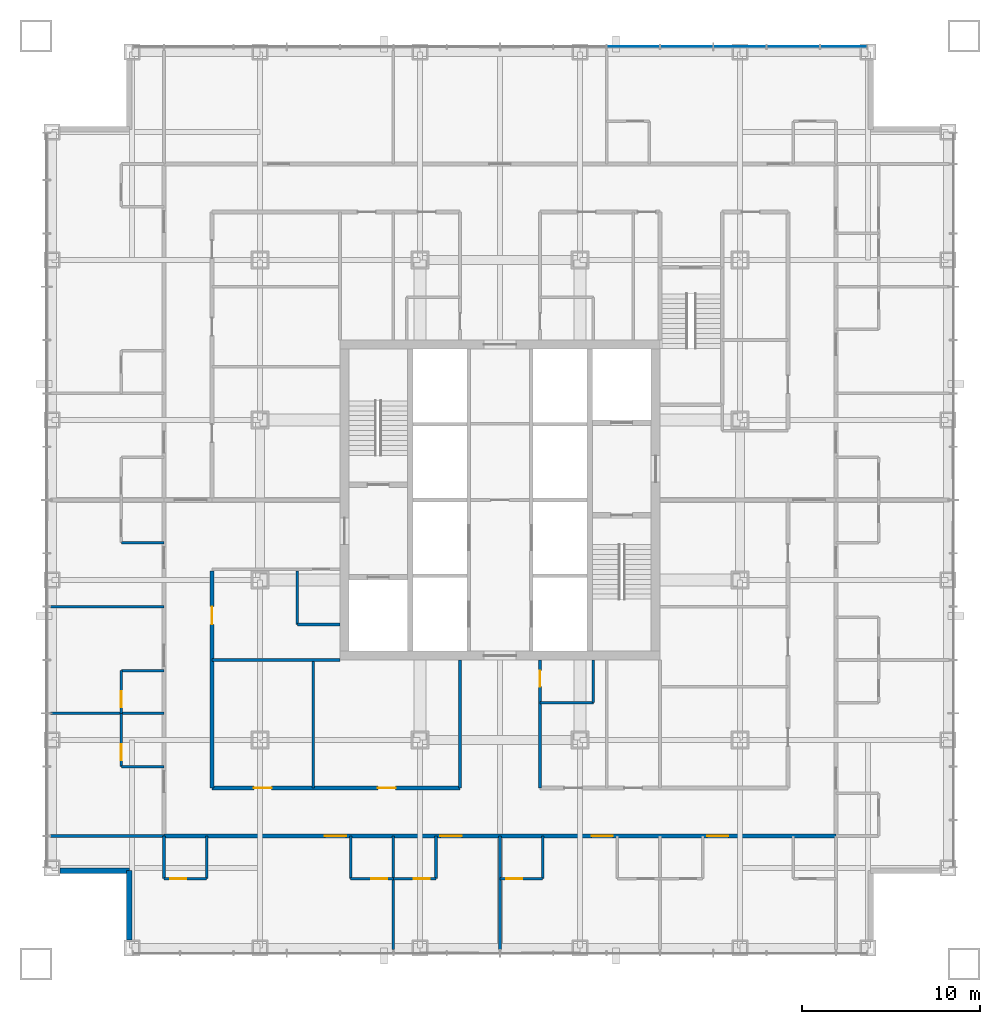
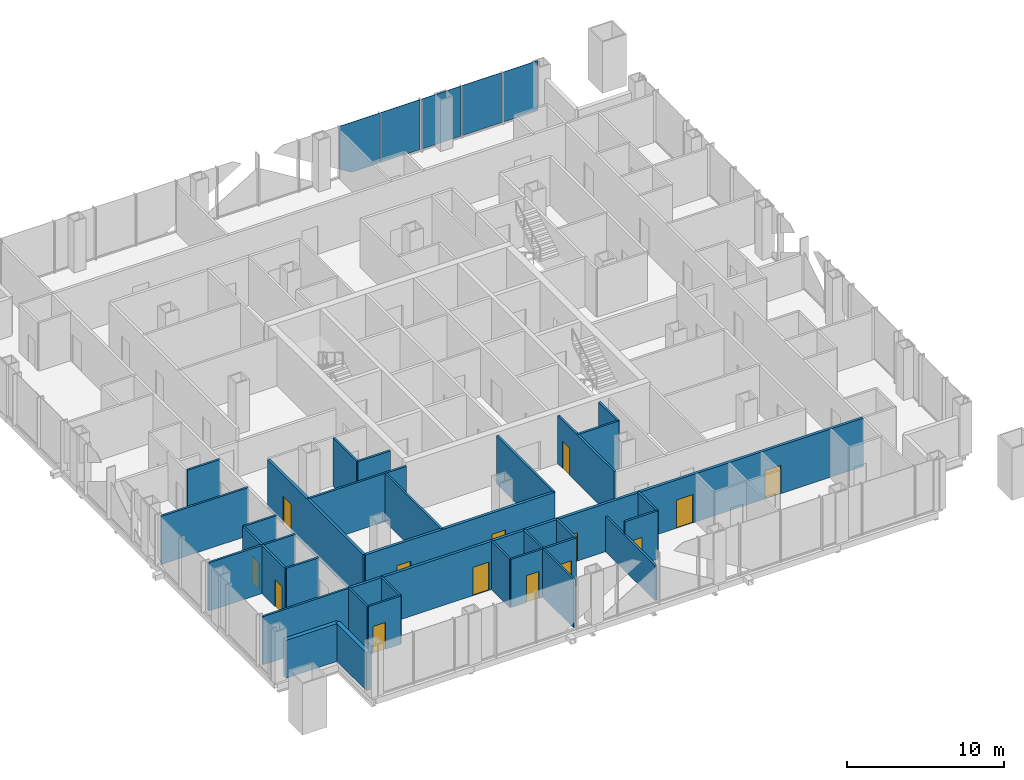
# One storey, part 7 of 13: 32 walls, 14 doors, 5 plates, 14 openings, 1 element without a shape of its own.
"""IFC4 building model written with IfcOpenShell, lengths in metres."""

import ifcopenshell
import ifcopenshell.guid

model = None  # the IFC model being written
_history = None  # IfcOwnerHistory: only IFC2X3 demands one
_inside = {}  # id of a spatial element -> (the spatial element, [elements in it])
_under = {}  # id of a project, library or spatial element -> (it, [spatial elements below it])
_declared = {}  # id of a project -> (the project, [libraries it declares])
_typed = {}  # id of a type object -> (the type object, [elements of that type])
_made_of = {}  # id of a material, layer set ... -> (it, [elements and type objects made of it])


def new_model(schema):
    """Start an empty IFC model of exactly this schema.

    Asked for "IFC4X3", IfcOpenShell would pick the latest addendum, in which some entities
    have other attributes; the version numbers below select the first issue.
    IFC2X3 requires an IfcOwnerHistory on every rooted entity: one is made here for all.
    """
    global model, _history
    if schema == "IFC4X3":
        model = ifcopenshell.file(schema_version=(4, 3, 0, 0))
    else:
        model = ifcopenshell.file(schema=schema)
    _inside.clear()
    _under.clear()
    _declared.clear()
    _typed.clear()
    _made_of.clear()
    _history = None
    if model.schema == "IFC2X3":
        org = make("IfcOrganization", Name="unknown")
        user = make(
            "IfcPersonAndOrganization",
            ThePerson=make("IfcPerson", FamilyName="unknown"),
            TheOrganization=org,
        )
        app = make(
            "IfcApplication",
            ApplicationDeveloper=org,
            Version="unknown",
            ApplicationFullName="unknown",
            ApplicationIdentifier="unknown",
        )
        _history = make(
            "IfcOwnerHistory",
            OwningUser=user,
            OwningApplication=app,
            ChangeAction="ADDED",
            CreationDate=0,
        )
    return model


def make(cls, **values):
    """One entity of the class cls with the attributes given. An attribute that is None is left unset."""
    return model.create_entity(
        cls, **{name: value for name, value in values.items() if value is not None}
    )


def rooted(cls, **values):
    """An entity with a GlobalId (a new one), such as an element, a storey or a relation."""
    return make(cls, GlobalId=ifcopenshell.guid.new(), OwnerHistory=_history, **values)


def si_unit(unit_type, name, prefix=None):
    """IfcSIUnit, for example si_unit("LENGTHUNIT", "METRE", prefix="MILLI")."""
    return make("IfcSIUnit", UnitType=unit_type, Prefix=prefix, Name=name)


def assignment(units):
    """IfcUnitAssignment: the units of a project."""
    return None if units is None else make("IfcUnitAssignment", Units=units)


def point(xyz):
    """IfcCartesianPoint."""
    return None if xyz is None else make("IfcCartesianPoint", Coordinates=xyz)


def direction(xyz):
    """IfcDirection."""
    return None if xyz is None else make("IfcDirection", DirectionRatios=xyz)


def frame(location, z_axis=None, x_axis=None):
    """IfcAxis2Placement3D, a coordinate frame: its origin and axes. An axis left out is left unset."""
    return make(
        "IfcAxis2Placement3D",
        Location=point(location),
        Axis=direction(z_axis),
        RefDirection=direction(x_axis),
    )


def frame_2d(location, x_axis=None):
    """IfcAxis2Placement2D, a coordinate frame in the plane: its origin and x axis."""
    return make(
        "IfcAxis2Placement2D", Location=point(location), RefDirection=direction(x_axis)
    )


def origin():
    """The frame at (0, 0, 0) with its axes left unset."""
    return frame((0.0, 0.0, 0.0))


def origin_2d():
    """The frame at (0, 0) in the plane with its x axis left unset."""
    return frame_2d((0.0, 0.0))


def place(relative_to, where):
    """IfcLocalPlacement: puts the frame where relative to a parent placement (None: the world)."""
    return make(
        "IfcLocalPlacement", PlacementRelTo=relative_to, RelativePlacement=where
    )


def context(
    kind, dimensions, precision=None, world=None, true_north=None, identifier=None
):
    """IfcGeometricRepresentationContext, for example the 3D "Model" context."""
    return make(
        "IfcGeometricRepresentationContext",
        ContextIdentifier=identifier,
        ContextType=kind,
        CoordinateSpaceDimension=dimensions,
        Precision=precision,
        WorldCoordinateSystem=world,
        TrueNorth=true_north,
    )


def subcontext(parent, identifier, kind, view, scale=None):
    """IfcGeometricRepresentationSubContext, for example "Body" below "Model"."""
    return make(
        "IfcGeometricRepresentationSubContext",
        ContextIdentifier=identifier,
        ContextType=kind,
        ParentContext=parent,
        TargetScale=scale,
        TargetView=view,
    )


def project(units=None, contexts=None):
    """IfcProject with its units and contexts."""
    return rooted(
        "IfcProject",
        Name="project",
        RepresentationContexts=contexts,
        UnitsInContext=assignment(units),
    )


def spatial(cls, under=None, at=None, **own):
    """A site, building, storey or space (cls), placed at a placement, below another one or the project."""
    s = rooted(cls, ObjectPlacement=at, **own)
    if under is not None:
        _under.setdefault(under.id(), (under, []))[1].append(s)
    return s


def polyline(points):
    """IfcPolyline through the points."""
    return make("IfcPolyline", Points=[point(p) for p in points])


def profile(cls, at=None, kind="AREA", **sizes):
    """A parametric profile (cls). Its sizes go by their IFC names, for example OverallWidth=200.0."""
    return make(cls, ProfileType=kind, Position=at, **sizes)


def rectangle(**sizes):
    """IfcRectangleProfileDef."""
    return profile("IfcRectangleProfileDef", **sizes)


def outline(outer, holes=None, kind="AREA"):
    """IfcArbitraryClosedProfileDef: a profile drawn as a closed curve; with holes, ...WithVoids."""
    if holes is None:
        return make("IfcArbitraryClosedProfileDef", ProfileType=kind, OuterCurve=outer)
    return make(
        "IfcArbitraryProfileDefWithVoids",
        ProfileType=kind,
        OuterCurve=outer,
        InnerCurves=holes,
    )


def extrude(swept, where, along, depth):
    """IfcExtrudedAreaSolid: the profile swept, set in the frame where, extruded along a direction by depth."""
    return make(
        "IfcExtrudedAreaSolid",
        SweptArea=swept,
        Position=where,
        ExtrudedDirection=direction(along),
        Depth=depth,
    )


def shape(context_of_items, identifier, shape_type, items):
    """IfcShapeRepresentation: the items that make up one representation, for example the "Body"."""
    return make(
        "IfcShapeRepresentation",
        ContextOfItems=context_of_items,
        RepresentationIdentifier=identifier,
        RepresentationType=shape_type,
        Items=items,
    )


def material(Name=None, Category=None):
    """IfcMaterial."""
    return make("IfcMaterial", Name=Name, Category=Category)


def layer(
    of_material, thickness, ventilated=None, Name=None, Category=None, Priority=None
):
    """IfcMaterialLayer: one layer of a wall or slab, of a material (None: an air gap)."""
    return make(
        "IfcMaterialLayer",
        Material=of_material,
        LayerThickness=thickness,
        IsVentilated=ventilated,
        Name=Name,
        Category=Category,
        Priority=Priority,
    )


def layer_set(layers, Name=None):
    """IfcMaterialLayerSet."""
    return make("IfcMaterialLayerSet", MaterialLayers=layers, LayerSetName=Name)


def made_of(thing, what):
    """Note that an element or type object is made of a material, layer set ...; save() writes the relation."""
    if what is not None:
        _made_of.setdefault(what.id(), (what, []))[1].append(thing)
    return thing


def type_object(cls, material=None, **own):
    """A type object (cls), such as IfcWallType, which elements share."""
    return made_of(rooted(cls, **own), material)


def element(
    cls,
    number,
    at=None,
    inside=None,
    cuts=None,
    type_object=None,
    material=None,
    context=None,
    identifier="Body",
    shape_type=None,
    held_by="IfcProductDefinitionShape",
    body=None,
    shapes=None,
    **own,
):
    """One element of the class cls, such as IfcWall. Its Tag is "e" and its number.

    at: its placement. inside: the storey or other place that contains it. cuts: it is an
    opening in that element (IfcRelVoidsElement). A single representation is given by context,
    identifier, shape_type and body (its items); several are given by shapes. held_by: the class
    of the entity that holds the representations. save() writes the other relations.
    """
    e = rooted(cls, Tag="e%d" % number, ObjectPlacement=at, **own)
    if body is not None:
        shapes = [shape(context, identifier, shape_type, body)]
    if shapes is not None:
        e.Representation = make(held_by, Representations=shapes)
    if inside is not None:
        _inside.setdefault(inside.id(), (inside, []))[1].append(e)
    if cuts is not None:
        rooted(
            "IfcRelVoidsElement", RelatingBuildingElement=cuts, RelatedOpeningElement=e
        )
    if type_object is not None:
        _typed.setdefault(type_object.id(), (type_object, []))[1].append(e)
    return made_of(e, material)


def fill(opening, filler):
    """IfcRelFillsElement: the door or window that sits in an opening."""
    return rooted(
        "IfcRelFillsElement",
        RelatingOpeningElement=opening,
        RelatedBuildingElement=filler,
    )


def aggregate(whole, parts):
    """IfcRelAggregates: a whole, such as a stair, and the parts it consists of."""
    return rooted("IfcRelAggregates", RelatingObject=whole, RelatedObjects=parts)


def save(model, path):
    """Write the relations noted so far, then the file.

    IfcRelAggregates (storeys below a building ...), IfcRelContainedInSpatialStructure (elements
    in a storey), IfcRelDefinesByType, IfcRelAssociatesMaterial and IfcRelDeclares: one each for
    every whole, place, type object, material and project.
    """
    for whole, parts in _under.values():
        aggregate(whole, parts)
    for where, things in _inside.values():
        rooted(
            "IfcRelContainedInSpatialStructure",
            RelatedElements=things,
            RelatingStructure=where,
        )
    for kind, things in _typed.values():
        rooted("IfcRelDefinesByType", RelatedObjects=things, RelatingType=kind)
    for what, things in _made_of.values():
        rooted("IfcRelAssociatesMaterial", RelatedObjects=things, RelatingMaterial=what)
    for by, libraries in _declared.values():
        rooted("IfcRelDeclares", RelatingContext=by, RelatedDefinitions=libraries)
    model.write(path)


model = new_model("IFC4")

# Units and contexts
model_context = context("Model", 3, precision=1e-05, world=origin(), true_north=direction((0.0, 1.0)))
body_context = subcontext(model_context, "Body", "Model", "MODEL_VIEW")
ifc_project = project(units=[si_unit("LENGTHUNIT", "METRE"), si_unit("AREAUNIT", "SQUARE_METRE"), si_unit("VOLUMEUNIT", "CUBIC_METRE"), si_unit("PLANEANGLEUNIT", "RADIAN"), si_unit("MASSUNIT", "GRAM", prefix="KILO")], contexts=[model_context])

# Site, building, storey
site_placement = place(None, origin())
site = spatial("IfcSite", under=ifc_project, at=site_placement, CompositionType="ELEMENT")
building_placement = place(site_placement, origin())
building = spatial("IfcBuilding", under=site, at=building_placement, Name="Malebo Sky Hospital", CompositionType="ELEMENT")
storey_placement = place(building_placement, frame((0.0, 0.0, 75.0)))
storey = spatial("IfcBuildingStorey", under=building, at=storey_placement, Name="L17", CompositionType="ELEMENT", Elevation=75.0)

# Curtain wall, plates
ifc_material_1 = material(Name="Anodised aluminium, natural silver", Category="aluminium")
ifc_layer_1 = layer(ifc_material_1, 0.25)
ifc_layer_set_1 = layer_set([ifc_layer_1], Name="WARD CURTAIN WALL NORTH AND SOUTH")
curtain_wall_type = type_object("IfcCurtainWallType", Name="WARD CURTAIN WALL NORTH AND SOUTH", PredefinedType="NOTDEFINED", material=ifc_layer_set_1)
curtain_wall_placement = place(storey_placement, origin())
curtain_wall = element("IfcCurtainWall", 1, at=curtain_wall_placement, inside=storey, type_object=curtain_wall_type, Name="NS curtain wall N", PredefinedType="NOTDEFINED")
ifc_material_2 = material(Name="Clear low-iron double glazing", Category="glass")
ifc_layer_2 = layer(ifc_material_2, 0.031982421875)
ifc_layer_set_2 = layer_set([ifc_layer_2], Name="VISION PANEL CLEAR 32")
plate_type = type_object("IfcPlateType", Name="VISION PANEL CLEAR 32", PredefinedType="CURTAIN_PANEL", material=ifc_layer_set_2)
plate_1_placement = place(storey_placement, frame((67.5, 87.5, 0.10009765625), z_axis=(0.0, 0.0, 1.0), x_axis=(1.0, 0.0, 0.0)))
plate_1 = element("IfcPlate", 2, at=plate_1_placement, type_object=plate_type, Name="Panel 10", PredefinedType="CURTAIN_PANEL", context=body_context, shape_type="SweptSolid", body=[
    extrude(outline(polyline([(-0.593505859375, 0.0), (1.46240234375, 0.0), (1.46240234375, 3.889892578125), (-1.46240234375, 3.889892578125), (-1.46240234375, 0.53271484375), (-0.593505859375, 0.0)])), frame((0.0, 0.01611328125, 0.0), z_axis=(0.0, -1.0, 0.0), x_axis=(1.0, 0.0, 0.0)), (0.0, 0.0, 1.0), 0.031982421875),
])
plate_2_placement = place(storey_placement, frame((70.5, 87.5, 0.10009765625), z_axis=(0.0, 0.0, 1.0), x_axis=(1.0, 0.0, 0.0)))
plate_2 = element("IfcPlate", 3, at=plate_2_placement, type_object=plate_type, Name="Panel 11", PredefinedType="CURTAIN_PANEL", context=body_context, shape_type="SweptSolid", body=[
    extrude(rectangle(XDim=2.925048828125, YDim=0.031982421875, at=origin_2d()), origin(), (0.0, 0.0, 1.0), 3.889892578125),
])
plate_3_placement = place(storey_placement, frame((73.5, 87.5, 0.10009765625), z_axis=(0.0, 0.0, 1.0), x_axis=(1.0, 0.0, 0.0)))
plate_3 = element("IfcPlate", 4, at=plate_3_placement, type_object=plate_type, Name="Panel 12", PredefinedType="CURTAIN_PANEL", context=body_context, shape_type="SweptSolid", body=[
    extrude(rectangle(XDim=2.925048828125, YDim=0.031982421875, at=origin_2d()), origin(), (0.0, 0.0, 1.0), 3.889892578125),
])
plate_4_placement = place(storey_placement, frame((76.5, 87.5, 0.10009765625), z_axis=(0.0, 0.0, 1.0), x_axis=(1.0, 0.0, 0.0)))
plate_4 = element("IfcPlate", 5, at=plate_4_placement, type_object=plate_type, Name="Panel 13", PredefinedType="CURTAIN_PANEL", context=body_context, shape_type="SweptSolid", body=[
    extrude(rectangle(XDim=2.925048828125, YDim=0.031982421875, at=origin_2d()), origin(), (0.0, 0.0, 1.0), 3.889892578125),
])
plate_5_placement = place(storey_placement, frame((79.331298828125, 87.5, 0.10009765625), z_axis=(0.0, 0.0, 1.0), x_axis=(1.0, 0.0, 0.0)))
plate_5 = element("IfcPlate", 6, at=plate_5_placement, type_object=plate_type, Name="Panel 14", PredefinedType="CURTAIN_PANEL", context=body_context, shape_type="SweptSolid", body=[
    extrude(rectangle(XDim=2.58740234375, YDim=0.031982421875, at=origin_2d()), origin(), (0.0, 0.0, 1.0), 3.889892578125),
])
aggregate(curtain_wall, [plate_1, plate_2, plate_3, plate_4, plate_5])

# Wall, opening, door
ifc_material_3 = material(Name="Gypsum board on steel studs", Category="steel")
ifc_layer_3 = layer(ifc_material_3, 0.199951171875)
ifc_layer_set_3 = layer_set([ifc_layer_3], Name="CORRIDOR WALL 200")
wall_type_1 = type_object("IfcWallType", Name="CORRIDOR WALL 200", PredefinedType="PARTITIONING", material=ifc_layer_set_3)
wall_1_placement = place(storey_placement, frame((43.800048828125, 45.800048828125, 0.0), z_axis=(0.0, 0.0, 1.0), x_axis=(0.0, 1.0, 0.0)))
wall_1 = element("IfcWall", 7, at=wall_1_placement, inside=storey, type_object=wall_type_1, Name="Corridor Wall 200 WCI1", PredefinedType="PARTITIONING", context=body_context, shape_type="SweptSolid", body=[
    extrude(rectangle(XDim=12.199951171875, YDim=0.199951171875, at=frame_2d((6.10009765625, 0.0))), origin(), (0.0, 0.0, 1.0), 3.75),
])
opening_1_placement = place(wall_1_placement, frame((9.199951171875, 0.0, 0.0)))
opening_1 = element("IfcOpeningElement", 8, at=opening_1_placement, cuts=wall_1, Name="Opening D03", PredefinedType="OPENING", context=body_context, shape_type="SweptSolid", body=[
    extrude(rectangle(XDim=1.0, YDim=2.10009765625, at=frame_2d((0.5, 1.050048828125))), frame((0.0, 0.10986328125, 0.0), z_axis=(0.0, -1.0, 0.0), x_axis=(1.0, 0.0, 0.0)), (0.0, 0.0, 1.0), 0.219970703125),
])
ifc_material_4 = material(Name="Hardwood-faced door leaf in steel frame", Category="steel")
door_type_1 = type_object("IfcDoorType", Name="ROOM DOOR 1000", OperationType="SINGLE_SWING_LEFT", PredefinedType="DOOR", material=ifc_material_4)
door_1_placement = place(opening_1_placement, origin())
door_1 = element("IfcDoor", 9, at=door_1_placement, inside=storey, type_object=door_type_1, Name="Ward office door", OperationType="SINGLE_SWING_LEFT", OverallHeight=2.10009765625, OverallWidth=1.0, PredefinedType="DOOR", context=body_context, shape_type="SweptSolid", body=[
    extrude(rectangle(XDim=1.0, YDim=2.10009765625, at=frame_2d((0.5, 1.050048828125))), frame((0.0, 0.02490234375, 0.0), z_axis=(0.0, -1.0, 0.0), x_axis=(1.0, 0.0, 0.0)), (0.0, 0.0, 1.0), 0.050048828125),
])
fill(opening_1, door_1)

# Wall, openings, doors
wall_2_placement = place(storey_placement, frame((78.89990234375, 43.10009765625, 0.0), z_axis=(0.0, 0.0, 1.0), x_axis=(-1.0, 0.0, 0.0)))
wall_2 = element("IfcWall", 10, at=wall_2_placement, inside=storey, type_object=wall_type_1, Name="Corridor Wall 200 SCO", PredefinedType="PARTITIONING", context=body_context, shape_type="SweptSolid", body=[
    extrude(rectangle(XDim=37.7998046875, YDim=0.199951171875, at=frame_2d((18.89990234375, 0.0))), origin(), (0.0, 0.0, 1.0), 3.75),
])
opening_2_placement = place(wall_2_placement, frame((6.050048828125, 0.0, 0.0)))
opening_2 = element("IfcOpeningElement", 11, at=opening_2_placement, cuts=wall_2, Name="Opening D01", PredefinedType="OPENING", context=body_context, shape_type="SweptSolid", body=[
    extrude(rectangle(XDim=1.199951171875, YDim=2.199951171875, at=frame_2d((0.60009765625, 1.10009765625))), frame((0.0, 0.10986328125, 0.0), z_axis=(0.0, -1.0, 0.0), x_axis=(1.0, 0.0, 0.0)), (0.0, 0.0, 1.0), 0.219970703125),
])
opening_3_placement = place(wall_2_placement, frame((12.550048828125, 0.0, 0.0)))
opening_3 = element("IfcOpeningElement", 12, at=opening_3_placement, cuts=wall_2, Name="Opening D01", PredefinedType="OPENING", context=body_context, shape_type="SweptSolid", body=[
    extrude(rectangle(XDim=1.199951171875, YDim=2.199951171875, at=frame_2d((0.60009765625, 1.10009765625))), frame((0.0, 0.10986328125, 0.0), z_axis=(0.0, -1.0, 0.0), x_axis=(1.0, 0.0, 0.0)), (0.0, 0.0, 1.0), 0.219970703125),
])
opening_4_placement = place(wall_2_placement, frame((21.050048828125, 0.0, 0.0)))
opening_4 = element("IfcOpeningElement", 13, at=opening_4_placement, cuts=wall_2, Name="Opening D01", PredefinedType="OPENING", context=body_context, shape_type="SweptSolid", body=[
    extrude(rectangle(XDim=1.199951171875, YDim=2.199951171875, at=frame_2d((0.60009765625, 1.10009765625))), frame((0.0, 0.10986328125, 0.0), z_axis=(0.0, -1.0, 0.0), x_axis=(1.0, 0.0, 0.0)), (0.0, 0.0, 1.0), 0.219970703125),
])
opening_5_placement = place(wall_2_placement, frame((27.550048828125, 0.0, 0.0)))
opening_5 = element("IfcOpeningElement", 14, at=opening_5_placement, cuts=wall_2, Name="Opening D01", PredefinedType="OPENING", context=body_context, shape_type="SweptSolid", body=[
    extrude(rectangle(XDim=1.199951171875, YDim=2.199951171875, at=frame_2d((0.60009765625, 1.10009765625))), frame((0.0, 0.10986328125, 0.0), z_axis=(0.0, -1.0, 0.0), x_axis=(1.0, 0.0, 0.0)), (0.0, 0.0, 1.0), 0.219970703125),
])
door_type_2 = type_object("IfcDoorType", Name="BED DOOR 1200", OperationType="SINGLE_SWING_LEFT", PredefinedType="DOOR", material=ifc_material_4)
door_2_placement = place(opening_2_placement, origin())
door_2 = element("IfcDoor", 15, at=door_2_placement, inside=storey, type_object=door_type_2, Name="Four-bed bay door", OperationType="SINGLE_SWING_RIGHT", OverallHeight=2.199951171875, OverallWidth=1.199951171875, PredefinedType="DOOR", context=body_context, shape_type="SweptSolid", body=[
    extrude(rectangle(XDim=1.199951171875, YDim=2.199951171875, at=frame_2d((0.60009765625, 1.10009765625))), frame((0.0, 0.02490234375, 0.0), z_axis=(0.0, -1.0, 0.0), x_axis=(1.0, 0.0, 0.0)), (0.0, 0.0, 1.0), 0.050048828125),
])
fill(opening_2, door_2)
door_3_placement = place(opening_3_placement, origin())
door_3 = element("IfcDoor", 16, at=door_3_placement, inside=storey, type_object=door_type_2, Name="Four-bed bay door", OperationType="SINGLE_SWING_LEFT", OverallHeight=2.199951171875, OverallWidth=1.199951171875, PredefinedType="DOOR", context=body_context, shape_type="SweptSolid", body=[
    extrude(rectangle(XDim=1.199951171875, YDim=2.199951171875, at=frame_2d((0.60009765625, 1.10009765625))), frame((0.0, 0.02490234375, 0.0), z_axis=(0.0, -1.0, 0.0), x_axis=(1.0, 0.0, 0.0)), (0.0, 0.0, 1.0), 0.050048828125),
])
fill(opening_3, door_3)
door_4_placement = place(opening_4_placement, origin())
door_4 = element("IfcDoor", 17, at=door_4_placement, inside=storey, type_object=door_type_2, Name="Single bed room door", OperationType="SINGLE_SWING_RIGHT", OverallHeight=2.199951171875, OverallWidth=1.199951171875, PredefinedType="DOOR", context=body_context, shape_type="SweptSolid", body=[
    extrude(rectangle(XDim=1.199951171875, YDim=2.199951171875, at=frame_2d((0.60009765625, 1.10009765625))), frame((0.0, 0.02490234375, 0.0), z_axis=(0.0, -1.0, 0.0), x_axis=(1.0, 0.0, 0.0)), (0.0, 0.0, 1.0), 0.050048828125),
])
fill(opening_4, door_4)
door_5_placement = place(opening_5_placement, origin())
door_5 = element("IfcDoor", 18, at=door_5_placement, inside=storey, type_object=door_type_2, Name="Four-bed bay door", OperationType="SINGLE_SWING_LEFT", OverallHeight=2.199951171875, OverallWidth=1.199951171875, PredefinedType="DOOR", context=body_context, shape_type="SweptSolid", body=[
    extrude(rectangle(XDim=1.199951171875, YDim=2.199951171875, at=frame_2d((0.60009765625, 1.10009765625))), frame((0.0, 0.02490234375, 0.0), z_axis=(0.0, -1.0, 0.0), x_axis=(1.0, 0.0, 0.0)), (0.0, 0.0, 1.0), 0.050048828125),
])
fill(opening_5, door_5)

wall_3_placement = place(storey_placement, frame((57.75, 45.800048828125, 0.0), z_axis=(0.0, 0.0, 1.0), x_axis=(-1.0, 0.0, 0.0)))
wall_3 = element("IfcWall", 19, at=wall_3_placement, inside=storey, type_object=wall_type_1, Name="Corridor Wall 200 SCI2", PredefinedType="PARTITIONING", context=body_context, shape_type="SweptSolid", body=[
    extrude(rectangle(XDim=13.949951171875, YDim=0.199951171875, at=frame_2d((6.97509765625, 0.0))), origin(), (0.0, 0.0, 1.0), 3.75),
])
opening_6_placement = place(wall_3_placement, frame((3.625, 0.0, 0.0)))
opening_6 = element("IfcOpeningElement", 20, at=opening_6_placement, cuts=wall_3, Name="Opening D03", PredefinedType="OPENING", context=body_context, shape_type="SweptSolid", body=[
    extrude(rectangle(XDim=1.0, YDim=2.10009765625, at=frame_2d((0.5, 1.050048828125))), frame((0.0, 0.10986328125, 0.0), z_axis=(0.0, -1.0, 0.0), x_axis=(1.0, 0.0, 0.0)), (0.0, 0.0, 1.0), 0.219970703125),
])
opening_7_placement = place(wall_3_placement, frame((10.60009765625, 0.0, 0.0)))
opening_7 = element("IfcOpeningElement", 21, at=opening_7_placement, cuts=wall_3, Name="Opening D03", PredefinedType="OPENING", context=body_context, shape_type="SweptSolid", body=[
    extrude(rectangle(XDim=1.0, YDim=2.10009765625, at=frame_2d((0.5, 1.050048828125))), frame((0.0, 0.10986328125, 0.0), z_axis=(0.0, -1.0, 0.0), x_axis=(1.0, 0.0, 0.0)), (0.0, 0.0, 1.0), 0.219970703125),
])
door_6_placement = place(opening_6_placement, origin())
door_6 = element("IfcDoor", 22, at=door_6_placement, inside=storey, type_object=door_type_1, Name="Nurse station door", OperationType="SINGLE_SWING_LEFT", OverallHeight=2.10009765625, OverallWidth=1.0, PredefinedType="DOOR", context=body_context, shape_type="SweptSolid", body=[
    extrude(rectangle(XDim=1.0, YDim=2.10009765625, at=frame_2d((0.5, 1.050048828125))), frame((0.0, 0.02490234375, 0.0), z_axis=(0.0, -1.0, 0.0), x_axis=(1.0, 0.0, 0.0)), (0.0, 0.0, 1.0), 0.050048828125),
])
fill(opening_6, door_6)
door_7_placement = place(opening_7_placement, origin())
door_7 = element("IfcDoor", 23, at=door_7_placement, inside=storey, type_object=door_type_1, Name="Speech therapy room door", OperationType="SINGLE_SWING_RIGHT", OverallHeight=2.10009765625, OverallWidth=1.0, PredefinedType="DOOR", context=body_context, shape_type="SweptSolid", body=[
    extrude(rectangle(XDim=1.0, YDim=2.10009765625, at=frame_2d((0.5, 1.050048828125))), frame((0.0, 0.02490234375, 0.0), z_axis=(0.0, -1.0, 0.0), x_axis=(1.0, 0.0, 0.0)), (0.0, 0.0, 1.0), 0.050048828125),
])
fill(opening_7, door_7)

# Walls
ifc_material_5 = material(Name="Anodised aluminium rainscreen on steel framing", Category="steel")
ifc_layer_4 = layer(ifc_material_5, 0.300048828125)
ifc_layer_set_4 = layer_set([ifc_layer_4], Name="NOTCH RAINSCREEN WALL 300")
wall_type_2 = type_object("IfcWallType", Name="NOTCH RAINSCREEN WALL 300", PredefinedType="ELEMENTEDWALL", material=ifc_layer_set_4)
for number, where, z_axis, x_axis, name in (
    (24, (39.14990234375, 37.25, 0.0), (0.0, 0.0, 1.0), (0.0, 1.0, 0.0), "Notch rainscreen wall S1 L17"),
    (25, (39.14990234375, 41.14990234375, 0.0), (0.0, 0.0, 1.0), (-1.0, 0.0, 0.0), "Notch rainscreen wall S2 L17"),
):
    element("IfcWall", number, at=place(storey_placement, frame(where, z_axis=z_axis, x_axis=x_axis)), inside=storey, type_object=wall_type_2, Name=name, PredefinedType="ELEMENTEDWALL", context=body_context, shape_type="SweptSolid", body=[
        extrude(rectangle(XDim=3.89990234375, YDim=0.300048828125, at=frame_2d((1.949951171875, 0.0))), origin(), (0.0, 0.0, 1.0), 2.949951171875),
    ])
ifc_layer_5 = layer(ifc_material_3, 0.14990234375)
ifc_layer_set_5 = layer_set([ifc_layer_5], Name="PARTITION 150")
wall_type_3 = type_object("IfcWallType", Name="PARTITION 150", PredefinedType="PARTITIONING", material=ifc_layer_set_5)
for number, where, z_axis, x_axis, name in (
    (26, (41.10009765625, 50.0, 0.0), (0.0, 0.0, 1.0), (-1.0, 0.0, 0.0), "Partition 150 WP-12.0"),
    (27, (41.10009765625, 56.0, 0.0), (0.0, 0.0, 1.0), (-1.0, 0.0, 0.0), "Partition 150 WP-6.0"),
    (28, (41.10009765625, 43.10009765625, 0.0), (0.0, 0.0, 1.0), (-1.0, 0.0, 0.0), "Partition 150 WP0"),
):
    element("IfcWall", number, at=place(storey_placement, frame(where, z_axis=z_axis, x_axis=x_axis)), inside=storey, type_object=wall_type_3, Name=name, PredefinedType="PARTITIONING", context=body_context, shape_type="SweptSolid", body=[
        extrude(rectangle(XDim=6.375, YDim=0.14990234375, at=frame_2d((3.1875, 0.0))), origin(), (0.0, 0.0, 1.0), 3.75),
    ])

# Wall, opening, door
wall_4_placement = place(storey_placement, frame((38.699951171875, 47.0, 0.0), z_axis=(0.0, 0.0, 1.0), x_axis=(0.0, 1.0, 0.0)))
wall_4 = element("IfcWall", 29, at=wall_4_placement, inside=storey, type_object=wall_type_3, Name="Partition 150 WE0F", PredefinedType="PARTITIONING", context=body_context, shape_type="SweptSolid", body=[
    extrude(rectangle(XDim=3.0, YDim=0.14990234375, at=frame_2d((1.5, 0.0))), origin(), (0.0, 0.0, 1.0), 3.75),
])
opening_8_placement = place(wall_4_placement, frame((0.35009765625, 0.0, 0.0)))
opening_8 = element("IfcOpeningElement", 30, at=opening_8_placement, cuts=wall_4, Name="Opening D02", PredefinedType="OPENING", context=body_context, shape_type="SweptSolid", body=[
    extrude(rectangle(XDim=0.89990234375, YDim=2.10009765625, at=frame_2d((0.449951171875, 1.050048828125))), frame((0.0, 0.0849609375, 0.0), z_axis=(0.0, -1.0, 0.0), x_axis=(1.0, 0.0, 0.0)), (0.0, 0.0, 1.0), 0.169921875),
])
door_type_3 = type_object("IfcDoorType", Name="EN-SUITE DOOR 900", OperationType="SINGLE_SWING_LEFT", PredefinedType="DOOR", material=ifc_material_4)
door_8_placement = place(opening_8_placement, origin())
door_8 = element("IfcDoor", 31, at=door_8_placement, inside=storey, type_object=door_type_3, Name="En-suite door", OperationType="SINGLE_SWING_LEFT", OverallHeight=2.10009765625, OverallWidth=0.89990234375, PredefinedType="DOOR", context=body_context, shape_type="SweptSolid", body=[
    extrude(rectangle(XDim=0.89990234375, YDim=2.10009765625, at=frame_2d((0.449951171875, 1.050048828125))), frame((0.0, 0.02490234375, 0.0), z_axis=(0.0, -1.0, 0.0), x_axis=(1.0, 0.0, 0.0)), (0.0, 0.0, 1.0), 0.050048828125),
])
fill(opening_8, door_8)

# Wall
wall_5_placement = place(storey_placement, frame((41.10009765625, 47.0, 0.0), z_axis=(0.0, 0.0, 1.0), x_axis=(-1.0, 0.0, 0.0)))
element("IfcWall", 32, at=wall_5_placement, inside=storey, type_object=wall_type_3, Name="Partition 150 WE0S", PredefinedType="PARTITIONING", context=body_context, shape_type="SweptSolid", body=[
    extrude(rectangle(XDim=2.400146484375, YDim=0.14990234375, at=frame_2d((1.2001953125, 0.0))), origin(), (0.0, 0.0, 1.0), 3.75),
])

# Wall, opening, door
wall_6_placement = place(storey_placement, frame((38.699951171875, 50.0, 0.0), z_axis=(0.0, 0.0, 1.0), x_axis=(0.0, 1.0, 0.0)))
wall_6 = element("IfcWall", 33, at=wall_6_placement, inside=storey, type_object=wall_type_3, Name="Partition 150 WE1F", PredefinedType="PARTITIONING", context=body_context, shape_type="SweptSolid", body=[
    extrude(rectangle(XDim=2.39990234375, YDim=0.14990234375, at=frame_2d((1.199951171875, 0.0))), origin(), (0.0, 0.0, 1.0), 3.75),
])
opening_9_placement = place(wall_6_placement, frame((0.35009765625, 0.0, 0.0)))
opening_9 = element("IfcOpeningElement", 34, at=opening_9_placement, cuts=wall_6, Name="Opening D02", PredefinedType="OPENING", context=body_context, shape_type="SweptSolid", body=[
    extrude(rectangle(XDim=0.89990234375, YDim=2.10009765625, at=frame_2d((0.449951171875, 1.050048828125))), frame((0.0, 0.0849609375, 0.0), z_axis=(0.0, -1.0, 0.0), x_axis=(1.0, 0.0, 0.0)), (0.0, 0.0, 1.0), 0.169921875),
])
door_9_placement = place(opening_9_placement, origin())
door_9 = element("IfcDoor", 35, at=door_9_placement, inside=storey, type_object=door_type_3, Name="En-suite door", OperationType="SINGLE_SWING_LEFT", OverallHeight=2.10009765625, OverallWidth=0.89990234375, PredefinedType="DOOR", context=body_context, shape_type="SweptSolid", body=[
    extrude(rectangle(XDim=0.89990234375, YDim=2.10009765625, at=frame_2d((0.449951171875, 1.050048828125))), frame((0.0, 0.02490234375, 0.0), z_axis=(0.0, -1.0, 0.0), x_axis=(1.0, 0.0, 0.0)), (0.0, 0.0, 1.0), 0.050048828125),
])
fill(opening_9, door_9)

# Walls
for number, where, z_axis, x_axis, name in (
    (36, (41.10009765625, 52.39990234375, 0.0), (0.0, 0.0, 1.0), (-1.0, 0.0, 0.0), "Partition 150 WE1S"),
    (37, (41.10009765625, 59.60009765625, 0.0), (0.0, 0.0, 1.0), (-1.0, 0.0, 0.0), "Partition 150 WE2S"),
):
    element("IfcWall", number, at=place(storey_placement, frame(where, z_axis=z_axis, x_axis=x_axis)), inside=storey, type_object=wall_type_3, Name=name, PredefinedType="PARTITIONING", context=body_context, shape_type="SweptSolid", body=[
        extrude(rectangle(XDim=2.400146484375, YDim=0.14990234375, at=frame_2d((1.2001953125, 0.0))), origin(), (0.0, 0.0, 1.0), 3.75),
    ])
wall_7_placement = place(storey_placement, frame((51.0, 53.0, 0.0), z_axis=(0.0, 0.0, 1.0), x_axis=(-1.0, 0.0, 0.0)))
element("IfcWall", 38, at=wall_7_placement, inside=storey, type_object=wall_type_3, Name="Partition 150 WSP0", PredefinedType="PARTITIONING", context=body_context, shape_type="SweptSolid", body=[
    extrude(rectangle(XDim=7.199951171875, YDim=0.14990234375, at=frame_2d((3.60009765625, 0.0))), origin(), (0.0, 0.0, 1.0), 3.75),
])
wall_8_placement = place(storey_placement, frame((48.60009765625, 55.0, 0.0), z_axis=(0.0, 0.0, 1.0), x_axis=(0.0, 1.0, 0.0)))
element("IfcWall", 39, at=wall_8_placement, inside=storey, type_object=wall_type_3, Name="Partition 150 WSX0", PredefinedType="PARTITIONING", context=body_context, shape_type="SweptSolid", body=[
    extrude(rectangle(XDim=3.0, YDim=0.14990234375, at=frame_2d((1.5, 0.0))), origin(), (0.0, 0.0, 1.0), 3.75),
])
wall_9_placement = place(storey_placement, frame((51.0, 55.0, 0.0), z_axis=(0.0, 0.0, 1.0), x_axis=(-1.0, 0.0, 0.0)))
element("IfcWall", 40, at=wall_9_placement, inside=storey, type_object=wall_type_3, Name="Partition 150 WSY0", PredefinedType="PARTITIONING", context=body_context, shape_type="SweptSolid", body=[
    extrude(rectangle(XDim=2.39990234375, YDim=0.14990234375, at=frame_2d((1.199951171875, 0.0))), origin(), (0.0, 0.0, 1.0), 3.75),
])
wall_10_placement = place(storey_placement, frame((60.0, 43.10009765625, 0.0), z_axis=(0.0, 0.0, 1.0), x_axis=(0.0, -1.0, 0.0)))
element("IfcWall", 41, at=wall_10_placement, inside=storey, type_object=wall_type_3, Name="Partition 150 SP+0.0", PredefinedType="PARTITIONING", context=body_context, shape_type="SweptSolid", body=[
    extrude(rectangle(XDim=6.375, YDim=0.14990234375, at=frame_2d((3.1875, 0.0))), origin(), (0.0, 0.0, 1.0), 2.75),
])
wall_11_placement = place(storey_placement, frame((54.0, 43.10009765625, 0.0), z_axis=(0.0, 0.0, 1.0), x_axis=(0.0, -1.0, 0.0)))
element("IfcWall", 42, at=wall_11_placement, inside=storey, type_object=wall_type_3, Name="Partition 150 SP+6.0", PredefinedType="PARTITIONING", context=body_context, shape_type="SweptSolid", body=[
    extrude(rectangle(XDim=6.375, YDim=0.14990234375, at=frame_2d((3.1875, 0.0))), origin(), (0.0, 0.0, 1.0), 3.75),
])

# Wall, opening, door
wall_12_placement = place(storey_placement, frame((62.39990234375, 40.699951171875, 0.0), z_axis=(0.0, 0.0, 1.0), x_axis=(-1.0, 0.0, 0.0)))
wall_12 = element("IfcWall", 43, at=wall_12_placement, inside=storey, type_object=wall_type_3, Name="Partition 150 SG1F", PredefinedType="PARTITIONING", context=body_context, shape_type="SweptSolid", body=[
    extrude(rectangle(XDim=2.39990234375, YDim=0.14990234375, at=frame_2d((1.199951171875, 0.0))), origin(), (0.0, 0.0, 1.0), 3.75),
])
opening_10_placement = place(wall_12_placement, frame((1.14990234375, 0.0, 0.0)))
opening_10 = element("IfcOpeningElement", 44, at=opening_10_placement, cuts=wall_12, Name="Opening D02", PredefinedType="OPENING", context=body_context, shape_type="SweptSolid", body=[
    extrude(rectangle(XDim=0.89990234375, YDim=2.10009765625, at=frame_2d((0.449951171875, 1.050048828125))), frame((0.0, 0.0849609375, 0.0), z_axis=(0.0, -1.0, 0.0), x_axis=(1.0, 0.0, 0.0)), (0.0, 0.0, 1.0), 0.169921875),
])
door_10_placement = place(opening_10_placement, origin())
door_10 = element("IfcDoor", 45, at=door_10_placement, inside=storey, type_object=door_type_3, Name="En-suite door", OperationType="SINGLE_SWING_RIGHT", OverallHeight=2.10009765625, OverallWidth=0.89990234375, PredefinedType="DOOR", context=body_context, shape_type="SweptSolid", body=[
    extrude(rectangle(XDim=0.89990234375, YDim=2.10009765625, at=frame_2d((0.449951171875, 1.050048828125))), frame((0.0, 0.02490234375, 0.0), z_axis=(0.0, -1.0, 0.0), x_axis=(1.0, 0.0, 0.0)), (0.0, 0.0, 1.0), 0.050048828125),
])
fill(opening_10, door_10)

# Wall
wall_13_placement = place(storey_placement, frame((62.39990234375, 43.10009765625, 0.0), z_axis=(0.0, 0.0, 1.0), x_axis=(0.0, -1.0, 0.0)))
element("IfcWall", 46, at=wall_13_placement, inside=storey, type_object=wall_type_3, Name="Partition 150 SG1S", PredefinedType="PARTITIONING", context=body_context, shape_type="SweptSolid", body=[
    extrude(rectangle(XDim=2.400146484375, YDim=0.14990234375, at=frame_2d((1.2001953125, 0.0))), origin(), (0.0, 0.0, 1.0), 3.75),
])

# Wall, opening, door
wall_14_placement = place(storey_placement, frame((56.39990234375, 40.699951171875, 0.0), z_axis=(0.0, 0.0, 1.0), x_axis=(-1.0, 0.0, 0.0)))
wall_14 = element("IfcWall", 47, at=wall_14_placement, inside=storey, type_object=wall_type_3, Name="Partition 150 SE2F", PredefinedType="PARTITIONING", context=body_context, shape_type="SweptSolid", body=[
    extrude(rectangle(XDim=2.39990234375, YDim=0.14990234375, at=frame_2d((1.199951171875, 0.0))), origin(), (0.0, 0.0, 1.0), 3.75),
])
opening_11_placement = place(wall_14_placement, frame((0.35009765625, 0.0, 0.0)))
opening_11 = element("IfcOpeningElement", 48, at=opening_11_placement, cuts=wall_14, Name="Opening D02", PredefinedType="OPENING", context=body_context, shape_type="SweptSolid", body=[
    extrude(rectangle(XDim=0.89990234375, YDim=2.10009765625, at=frame_2d((0.449951171875, 1.050048828125))), frame((0.0, 0.0849609375, 0.0), z_axis=(0.0, -1.0, 0.0), x_axis=(1.0, 0.0, 0.0)), (0.0, 0.0, 1.0), 0.169921875),
])
door_11_placement = place(opening_11_placement, origin())
door_11 = element("IfcDoor", 49, at=door_11_placement, inside=storey, type_object=door_type_3, Name="En-suite door", OperationType="SINGLE_SWING_LEFT", OverallHeight=2.10009765625, OverallWidth=0.89990234375, PredefinedType="DOOR", context=body_context, shape_type="SweptSolid", body=[
    extrude(rectangle(XDim=0.89990234375, YDim=2.10009765625, at=frame_2d((0.449951171875, 1.050048828125))), frame((0.0, 0.02490234375, 0.0), z_axis=(0.0, -1.0, 0.0), x_axis=(1.0, 0.0, 0.0)), (0.0, 0.0, 1.0), 0.050048828125),
])
fill(opening_11, door_11)

# Wall
wall_15_placement = place(storey_placement, frame((56.39990234375, 43.10009765625, 0.0), z_axis=(0.0, 0.0, 1.0), x_axis=(0.0, -1.0, 0.0)))
element("IfcWall", 50, at=wall_15_placement, inside=storey, type_object=wall_type_3, Name="Partition 150 SE2S", PredefinedType="PARTITIONING", context=body_context, shape_type="SweptSolid", body=[
    extrude(rectangle(XDim=2.400146484375, YDim=0.14990234375, at=frame_2d((1.2001953125, 0.0))), origin(), (0.0, 0.0, 1.0), 3.75),
])

# Wall, opening, door
wall_16_placement = place(storey_placement, frame((54.0, 40.699951171875, 0.0), z_axis=(0.0, 0.0, 1.0), x_axis=(-1.0, 0.0, 0.0)))
wall_16 = element("IfcWall", 51, at=wall_16_placement, inside=storey, type_object=wall_type_3, Name="Partition 150 SE3F", PredefinedType="PARTITIONING", context=body_context, shape_type="SweptSolid", body=[
    extrude(rectangle(XDim=2.39990234375, YDim=0.14990234375, at=frame_2d((1.199951171875, 0.0))), origin(), (0.0, 0.0, 1.0), 3.75),
])
opening_12_placement = place(wall_16_placement, frame((0.35009765625, 0.0, 0.0)))
opening_12 = element("IfcOpeningElement", 52, at=opening_12_placement, cuts=wall_16, Name="Opening D02", PredefinedType="OPENING", context=body_context, shape_type="SweptSolid", body=[
    extrude(rectangle(XDim=0.89990234375, YDim=2.10009765625, at=frame_2d((0.449951171875, 1.050048828125))), frame((0.0, 0.0849609375, 0.0), z_axis=(0.0, -1.0, 0.0), x_axis=(1.0, 0.0, 0.0)), (0.0, 0.0, 1.0), 0.169921875),
])
door_12_placement = place(opening_12_placement, origin())
door_12 = element("IfcDoor", 53, at=door_12_placement, inside=storey, type_object=door_type_3, Name="En-suite door", OperationType="SINGLE_SWING_LEFT", OverallHeight=2.10009765625, OverallWidth=0.89990234375, PredefinedType="DOOR", context=body_context, shape_type="SweptSolid", body=[
    extrude(rectangle(XDim=0.89990234375, YDim=2.10009765625, at=frame_2d((0.449951171875, 1.050048828125))), frame((0.0, 0.02490234375, 0.0), z_axis=(0.0, -1.0, 0.0), x_axis=(1.0, 0.0, 0.0)), (0.0, 0.0, 1.0), 0.050048828125),
])
fill(opening_12, door_12)

# Wall
wall_17_placement = place(storey_placement, frame((51.60009765625, 43.10009765625, 0.0), z_axis=(0.0, 0.0, 1.0), x_axis=(0.0, -1.0, 0.0)))
element("IfcWall", 54, at=wall_17_placement, inside=storey, type_object=wall_type_3, Name="Partition 150 SE3S", PredefinedType="PARTITIONING", context=body_context, shape_type="SweptSolid", body=[
    extrude(rectangle(XDim=2.400146484375, YDim=0.14990234375, at=frame_2d((1.2001953125, 0.0))), origin(), (0.0, 0.0, 1.0), 3.75),
])

# Wall, opening, door
wall_18_placement = place(storey_placement, frame((43.5, 40.699951171875, 0.0), z_axis=(0.0, 0.0, 1.0), x_axis=(-1.0, 0.0, 0.0)))
wall_18 = element("IfcWall", 55, at=wall_18_placement, inside=storey, type_object=wall_type_3, Name="Partition 150 SG3F", PredefinedType="PARTITIONING", context=body_context, shape_type="SweptSolid", body=[
    extrude(rectangle(XDim=2.39990234375, YDim=0.14990234375, at=frame_2d((1.199951171875, 0.0))), origin(), (0.0, 0.0, 1.0), 3.75),
])
opening_13_placement = place(wall_18_placement, frame((1.14990234375, 0.0, 0.0)))
opening_13 = element("IfcOpeningElement", 56, at=opening_13_placement, cuts=wall_18, Name="Opening D02", PredefinedType="OPENING", context=body_context, shape_type="SweptSolid", body=[
    extrude(rectangle(XDim=0.89990234375, YDim=2.10009765625, at=frame_2d((0.449951171875, 1.050048828125))), frame((0.0, 0.0849609375, 0.0), z_axis=(0.0, -1.0, 0.0), x_axis=(1.0, 0.0, 0.0)), (0.0, 0.0, 1.0), 0.169921875),
])
door_13_placement = place(opening_13_placement, origin())
door_13 = element("IfcDoor", 57, at=door_13_placement, inside=storey, type_object=door_type_3, Name="En-suite door", OperationType="SINGLE_SWING_RIGHT", OverallHeight=2.10009765625, OverallWidth=0.89990234375, PredefinedType="DOOR", context=body_context, shape_type="SweptSolid", body=[
    extrude(rectangle(XDim=0.89990234375, YDim=2.10009765625, at=frame_2d((0.449951171875, 1.050048828125))), frame((0.0, 0.02490234375, 0.0), z_axis=(0.0, -1.0, 0.0), x_axis=(1.0, 0.0, 0.0)), (0.0, 0.0, 1.0), 0.050048828125),
])
fill(opening_13, door_13)

# Walls
for number, where, z_axis, x_axis, name in (
    (58, (43.5, 43.10009765625, 0.0), (0.0, 0.0, 1.0), (0.0, -1.0, 0.0), "Partition 150 SG3S"),
    (59, (41.10009765625, 43.10009765625, 0.0), (0.0, 0.0, 1.0), (0.0, -1.0, 0.0), "Partition 150 SEZ"),
):
    element("IfcWall", number, at=place(storey_placement, frame(where, z_axis=z_axis, x_axis=x_axis)), inside=storey, type_object=wall_type_3, Name=name, PredefinedType="PARTITIONING", context=body_context, shape_type="SweptSolid", body=[
        extrude(rectangle(XDim=2.400146484375, YDim=0.14990234375, at=frame_2d((1.2001953125, 0.0))), origin(), (0.0, 0.0, 1.0), 3.75),
    ])

# Wall, opening, door
wall_19_placement = place(storey_placement, frame((62.25, 53.0, 0.0), z_axis=(0.0, 0.0, 1.0), x_axis=(0.0, -1.0, 0.0)))
wall_19 = element("IfcWall", 60, at=wall_19_placement, inside=storey, type_object=wall_type_3, Name="Partition 150 SSPA", PredefinedType="PARTITIONING", context=body_context, shape_type="SweptSolid", body=[
    extrude(rectangle(XDim=7.199951171875, YDim=0.14990234375, at=frame_2d((3.60009765625, 0.0))), origin(), (0.0, 0.0, 1.0), 3.75),
])
opening_14_placement = place(wall_19_placement, frame((0.60009765625, 0.0, 0.0)))
opening_14 = element("IfcOpeningElement", 61, at=opening_14_placement, cuts=wall_19, Name="Opening D04", PredefinedType="OPENING", context=body_context, shape_type="SweptSolid", body=[
    extrude(rectangle(XDim=0.89990234375, YDim=2.10009765625, at=frame_2d((0.449951171875, 1.050048828125))), frame((0.0, 0.0849609375, 0.0), z_axis=(0.0, -1.0, 0.0), x_axis=(1.0, 0.0, 0.0)), (0.0, 0.0, 1.0), 0.169921875),
])
door_type_4 = type_object("IfcDoorType", Name="ROOM DOOR 900", OperationType="SINGLE_SWING_LEFT", PredefinedType="DOOR", material=ifc_material_4)
door_14_placement = place(opening_14_placement, origin())
door_14 = element("IfcDoor", 62, at=door_14_placement, inside=storey, type_object=door_type_4, Name="Visitor WC door", OperationType="SINGLE_SWING_LEFT", OverallHeight=2.10009765625, OverallWidth=0.89990234375, PredefinedType="DOOR", context=body_context, shape_type="SweptSolid", body=[
    extrude(rectangle(XDim=0.89990234375, YDim=2.10009765625, at=frame_2d((0.449951171875, 1.050048828125))), frame((0.0, 0.02490234375, 0.0), z_axis=(0.0, -1.0, 0.0), x_axis=(1.0, 0.0, 0.0)), (0.0, 0.0, 1.0), 0.050048828125),
])
fill(opening_14, door_14)

# Walls
for number, where, z_axis, x_axis, name in (
    (63, (57.75, 53.0, 0.0), (0.0, 0.0, 1.0), (0.0, -1.0, 0.0), "Partition 150 SSPB"),
    (64, (49.5, 53.0, 0.0), (0.0, 0.0, 1.0), (0.0, -1.0, 0.0), "Partition 150 SSP+10.5"),
):
    element("IfcWall", number, at=place(storey_placement, frame(where, z_axis=z_axis, x_axis=x_axis)), inside=storey, type_object=wall_type_3, Name=name, PredefinedType="PARTITIONING", context=body_context, shape_type="SweptSolid", body=[
        extrude(rectangle(XDim=7.199951171875, YDim=0.14990234375, at=frame_2d((3.60009765625, 0.0))), origin(), (0.0, 0.0, 1.0), 3.75),
    ])
wall_20_placement = place(storey_placement, frame((65.25, 50.60009765625, 0.0), z_axis=(0.0, 0.0, 1.0), x_axis=(-1.0, 0.0, 0.0)))
element("IfcWall", 65, at=wall_20_placement, inside=storey, type_object=wall_type_3, Name="Partition 150 SSX1", PredefinedType="PARTITIONING", context=body_context, shape_type="SweptSolid", body=[
    extrude(rectangle(XDim=3.0, YDim=0.14990234375, at=frame_2d((1.5, 0.0))), origin(), (0.0, 0.0, 1.0), 3.75),
])
wall_21_placement = place(storey_placement, frame((65.25, 53.0, 0.0), z_axis=(0.0, 0.0, 1.0), x_axis=(0.0, -1.0, 0.0)))
element("IfcWall", 66, at=wall_21_placement, inside=storey, type_object=wall_type_3, Name="Partition 150 SSY1", PredefinedType="PARTITIONING", context=body_context, shape_type="SweptSolid", body=[
    extrude(rectangle(XDim=2.39990234375, YDim=0.14990234375, at=frame_2d((1.199951171875, 0.0))), origin(), (0.0, 0.0, 1.0), 3.75),
])

save(model, "model.ifc")
